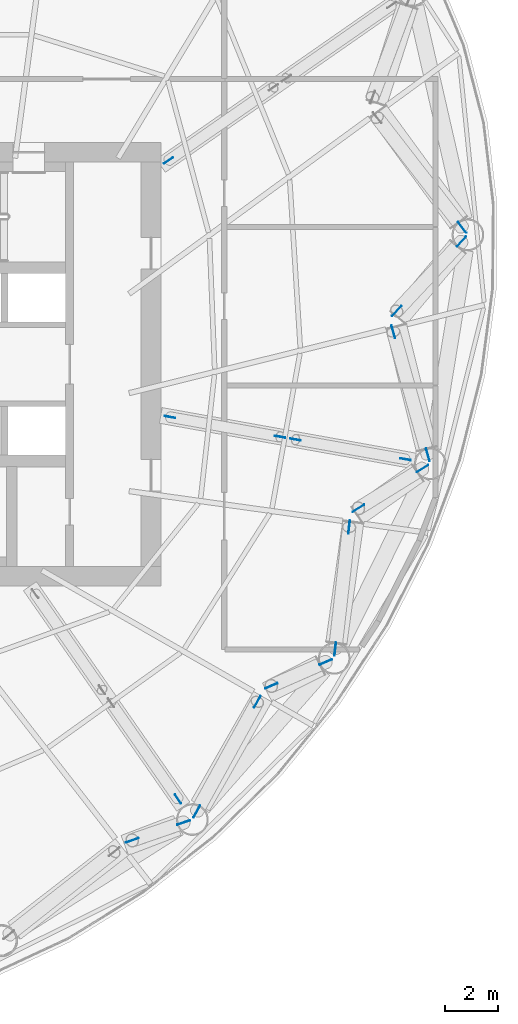
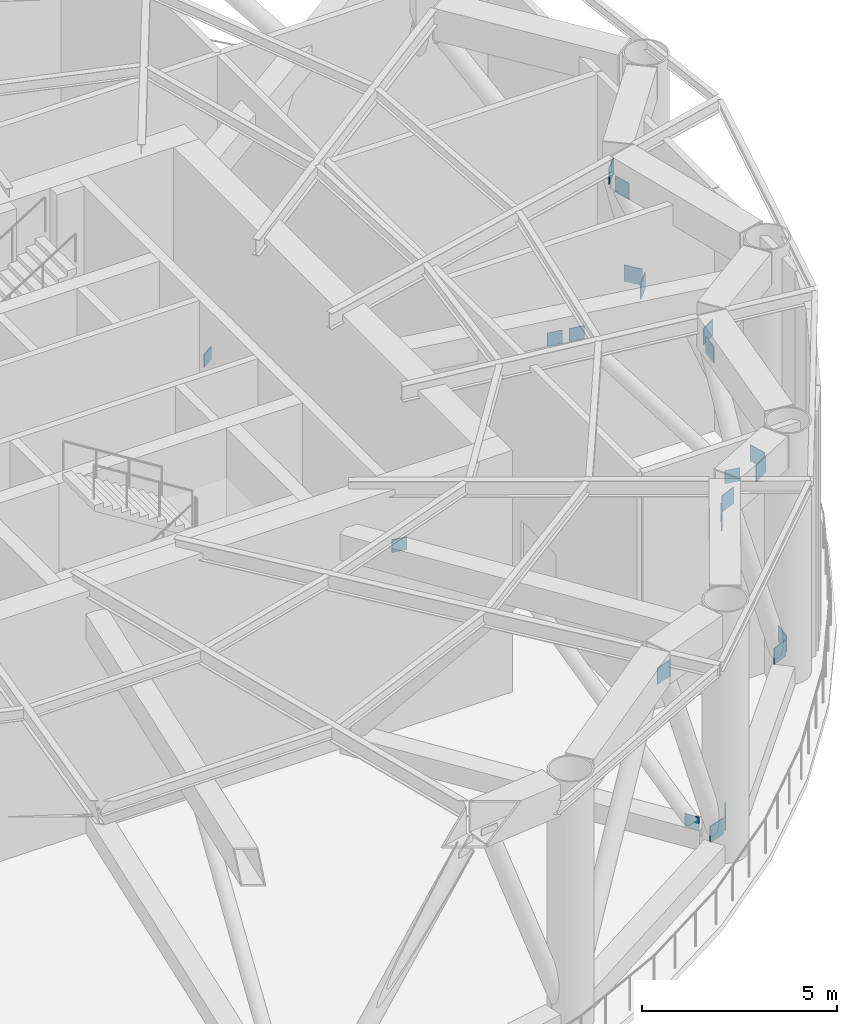
# One storey, part 10 of 15: 21 discrete accessories.
"""IFC4 building model written with IfcOpenShell, lengths in metres."""

from ifc_helpers import new_model, si_unit, direction, frame, origin, origin_2d, place, context, subcontext, project, spatial, rectangle, extrude, element, save


model = new_model("IFC4")

# Units and contexts
model_context = context("Model", 3, precision=1e-05, world=origin(), true_north=direction((0.0, 1.0)))
body_context = subcontext(model_context, "Body", "Model", "MODEL_VIEW")
ifc_project = project(units=[si_unit("LENGTHUNIT", "METRE"), si_unit("AREAUNIT", "SQUARE_METRE"), si_unit("VOLUMEUNIT", "CUBIC_METRE"), si_unit("PLANEANGLEUNIT", "RADIAN"), si_unit("MASSUNIT", "GRAM", prefix="KILO")], contexts=[model_context])

# Site, building, storey
site_placement = place(None, origin())
site = spatial("IfcSite", under=ifc_project, at=site_placement, CompositionType="ELEMENT")
building_placement = place(site_placement, origin())
building = spatial("IfcBuilding", under=site, at=building_placement, Name="Vermilion Reach Broadcast Tower", CompositionType="ELEMENT")
storey_placement = place(building_placement, frame((0.0, 0.0, 246.10009765625)))
storey = spatial("IfcBuildingStorey", under=building, at=storey_placement, Name="L61", CompositionType="ELEMENT", Elevation=246.10009765625)

# Discrete accessories
for number, where, z_axis, x_axis, name in (
    (1, (5.662353515625, -17.35107421875, 0.5458984375), (0.0, 0.0, 1.0), (0.326330776047, -0.945255639816, 0.0), "Gusset plate BT4-D11B foot"),
    (2, (3.71484375, -18.0234375, 6.5859375), (0.0, 0.0, 1.0), (0.326330776047, -0.945255639816, 0.0), "Gusset plate BT4-D11B head"),
    (3, (6.162353515625, -16.930419921875, 0.5458984375), (0.0, 0.0, 1.0), (-0.875626047984, 0.482989672862, 0.0), "Gusset plate BT4-D12A foot"),
    (4, (8.453125, -12.777099609375, 6.5859375), (0.0, 0.0, 1.0), (-0.875626047984, 0.482989672862, 0.0), "Gusset plate BT4-D12A head"),
    (5, (11.042236328125, -11.2744140625, 0.5458984375), (0.0, 0.0, 1.0), (0.401095231644, -0.916036361261, 0.0), "Gusset plate BT4-D12B foot"),
    (6, (8.981689453125, -12.176513671875, 6.5859375), (0.0, 0.0, 1.0), (0.401095231644, -0.916036361261, 0.0), "Gusset plate BT4-D12B head"),
    (7, (11.402587890625, -10.7861328125, 0.5458984375), (0.0, 0.0, 1.0), (-0.993568861283, 0.113229492137, 0.0), "Gusset plate BT4-D13A foot"),
    (8, (11.9287109375, -6.168212890625, 6.5859375), (0.0, 0.0, 1.0), (-0.993568861283, 0.113229492137, 0.0), "Gusset plate BT4-D13A head"),
    (9, (14.705078125, -3.951904296875, 0.5458984375), (0.0, 0.0, 1.0), (0.526354249364, -0.850265372796, 0.0), "Gusset plate BT4-D13B foot"),
    (10, (12.283203125, -5.451171875, 6.5859375), (0.0, 0.0, 1.0), (0.526354249364, -0.850265372796, 0.0), "Gusset plate BT4-D13B head"),
    (11, (14.907958984375, -3.4306640625, 0.5458984375), (0.0, 0.0, 1.0), (-0.962783828107, -0.270272640745, 0.0), "Gusset plate BT4-D14A foot"),
    (12, (13.60107421875, 1.2255859375, 6.5859375), (0.0, 0.0, 1.0), (-0.962783828107, -0.270272640745, 0.0), "Gusset plate BT4-D14A head"),
    (13, (16.18505859375, 4.6455078125, 0.5458984375), (0.0, 0.0, 1.0), (0.731142051638, -0.682225256295, 0.0), "Gusset plate BT4-D14B foot"),
    (14, (13.73046875, 2.014892578125, 6.5859375), (0.0, 0.0, 1.0), (0.731142051638, -0.682225256295, 0.0), "Gusset plate BT4-D14B head"),
    (15, (16.20947265625, 5.17822265625, 0.5458984375), (0.0, 0.0, 1.0), (-0.790679224452, -0.612230646097, 0.0), "Gusset plate BT4-D15A foot"),
):
    element("IfcDiscreteAccessory", number, at=place(storey_placement, frame(where, z_axis=z_axis, x_axis=x_axis)), inside=storey, Name=name, PredefinedType="NOTDEFINED", context=body_context, shape_type="SweptSolid", body=[
        extrude(rectangle(XDim=0.02490234375, YDim=0.508056640625, at=origin_2d()), origin(), (0.0, 0.0, 1.0), 0.508056640625),
    ])
for number, where, z_axis, x_axis, name in (
    (16, (5.45068359375, -16.45703125, 0.39697265625), (0.0, 0.0, 1.0), (0.820850278449, 0.571143432397, 0.0), "Gusset plate OR4-12-DB foot"),
    (17, (5.14453125, -1.999267578125, 0.39697265625), (0.0, 0.0, 1.0), (0.176569378367, 0.984288196934, 0.0), "Gusset plate OR4-14-DA foot"),
    (18, (9.310791015625, -2.74658203125, 5.8466796875), (0.0, 0.0, 1.0), (0.176569378367, 0.984288196934, 0.0), "Gusset plate OR4-14-DA head"),
    (19, (14.067626953125, -3.599853515625, 0.39697265625), (0.0, 0.0, 1.0), (0.176569378367, 0.984288196934, 0.0), "Gusset plate OR4-14-DB foot"),
    (20, (9.9013671875, -2.8525390625, 5.8466796875), (0.0, 0.0, 1.0), (0.176569378367, 0.984288196934, 0.0), "Gusset plate OR4-14-DB head"),
    (21, (5.08740234375, 7.714599609375, 0.39697265625), (0.0, 0.0, 1.0), (-0.57114342595, 0.820850282935, 0.0), "Gusset plate OR4-16-DA foot"),
):
    element("IfcDiscreteAccessory", number, at=place(storey_placement, frame(where, z_axis=z_axis, x_axis=x_axis)), inside=storey, Name=name, PredefinedType="NOTDEFINED", context=body_context, shape_type="SweptSolid", body=[
        extrude(rectangle(XDim=0.02490234375, YDim=0.406005859375, at=origin_2d()), origin(), (0.0, 0.0, 1.0), 0.406005859375),
    ])

save(model, "model.ifc")
